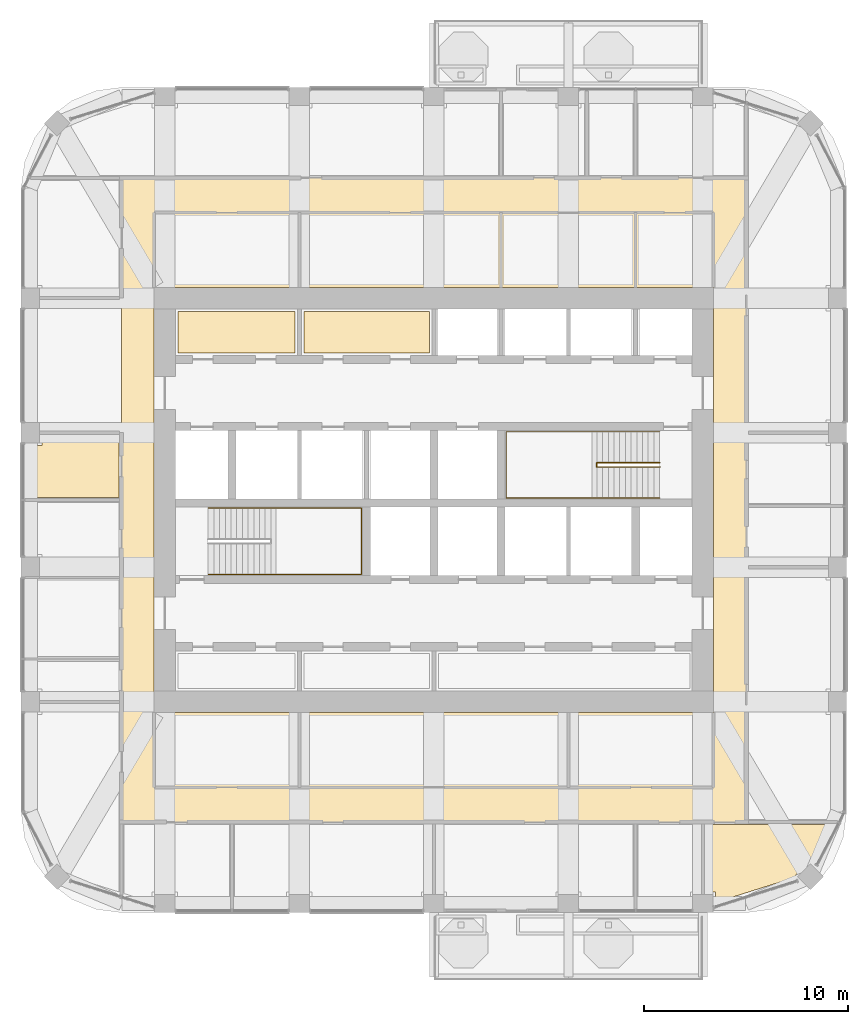
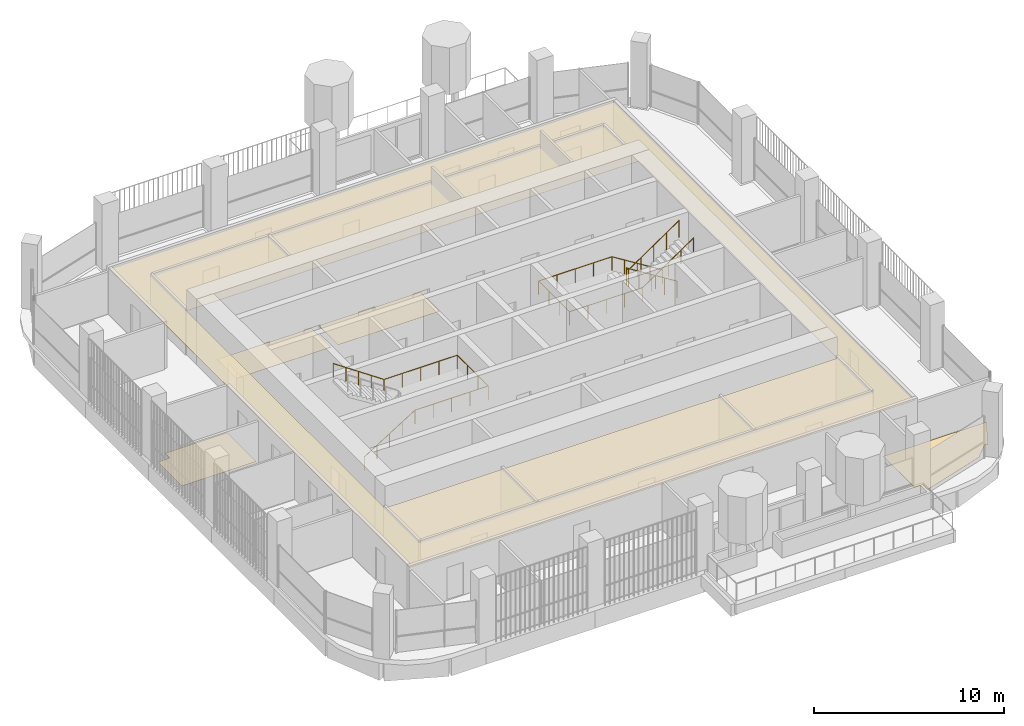
# One storey, part 19 of 21: 5 coverings, 3 railings.
"""IFC4 building model written with IfcOpenShell, lengths in metres."""

from ifc_helpers import new_model, si_unit, direction, frame, origin, place, context, subcontext, project, spatial, polyline, outline, extrude, material, layer, layer_set, type_object, element, save


model = new_model("IFC4")

# Units and contexts
model_context = context("Model", 3, precision=1e-05, world=origin(), true_north=direction((0.0, 1.0)))
body_context = subcontext(model_context, "Body", "Model", "MODEL_VIEW")
ifc_project = project(units=[si_unit("LENGTHUNIT", "METRE"), si_unit("AREAUNIT", "SQUARE_METRE"), si_unit("VOLUMEUNIT", "CUBIC_METRE"), si_unit("PLANEANGLEUNIT", "RADIAN"), si_unit("MASSUNIT", "GRAM", prefix="KILO")], contexts=[model_context])

# Site, building, storey
site_placement = place(None, origin())
site = spatial("IfcSite", under=ifc_project, at=site_placement, CompositionType="ELEMENT")
building_placement = place(site_placement, origin())
building = spatial("IfcBuilding", under=site, at=building_placement, Name="Cobogo Forest Laboratory Tower", CompositionType="ELEMENT")
storey_placement = place(building_placement, frame((0.0, 0.0, 283.800048828125)))
storey = spatial("IfcBuildingStorey", under=building, at=storey_placement, Name="L65", CompositionType="ELEMENT", Elevation=283.800048828125)

# Coverings
ifc_material_1 = material(Name="Mineral fibre ceiling tile", Category="ceiling")
ifc_layer_1 = layer(ifc_material_1, 0.02001953125)
ifc_layer_set_1 = layer_set([ifc_layer_1], Name="CL1 suspended ceiling")
covering_type_1 = type_object("IfcCoveringType", Name="CL1 suspended ceiling", PredefinedType="CEILING", material=ifc_layer_set_1)
covering_1_placement = place(storey_placement, frame((0.0, 0.0, 2.800048828125)))
element("IfcCovering", 1, at=covering_1_placement, inside=storey, type_object=covering_type_1, Name="Corridor ceiling L65", PredefinedType="CEILING", context=body_context, shape_type="SweptSolid", body=[
    extrude(outline(polyline([(11.074951171875, 7.300048828125), (11.074951171875, 38.89990234375), (41.72509765625, 38.89990234375), (41.72509765625, 7.300048828125), (11.074951171875, 7.300048828125)]), holes=[polyline([(40.125, 33.52490234375), (12.675048828125, 33.52490234375), (12.675048828125, 12.675048828125), (40.125, 12.675048828125), (40.125, 33.52490234375)])]), origin(), (0.0, 0.0, 1.0), 0.02001953125),
])
ifc_material_2 = material(Name="Carpet tile on raised access floor", Category="flooring")
ifc_layer_2 = layer(ifc_material_2, 0.008056640625)
ifc_layer_set_2 = layer_set([ifc_layer_2], Name="CT1 carpet tile floor 8")
covering_type_2 = type_object("IfcCoveringType", Name="CT1 carpet tile floor 8", PredefinedType="FLOORING", material=ifc_layer_set_2)
covering_2_placement = place(storey_placement, origin())
element("IfcCovering", 2, at=covering_2_placement, inside=storey, type_object=covering_type_2, Name="Carpet floor L65-12", PredefinedType="FLOORING", context=body_context, shape_type="SweptSolid", body=[
    extrude(outline(polyline([(44.10986328125, 4.583984375), (40.219970703125, 3.35546875), (40.219970703125, 3.8701171875), (39.719970703125, 3.8701171875), (39.719970703125, 7.179931640625), (45.999267578125, 7.179931640625), (45.010986328125, 5.294921875), (44.882080078125, 5.424072265625), (44.075927734375, 4.617919921875), (44.10986328125, 4.583984375)])), origin(), (0.0, 0.0, 1.0), 0.008056640625),
])
covering_3_placement = place(storey_placement, origin())
element("IfcCovering", 3, at=covering_3_placement, inside=storey, type_object=covering_type_2, Name="Carpet floor L65-25", PredefinedType="FLOORING", context=body_context, shape_type="SweptSolid", body=[
    extrude(outline(polyline([(10.955078125, 23.219970703125), (6.449951171875, 23.219970703125), (6.449951171875, 25.780029296875), (7.169921875, 25.780029296875), (7.169921875, 26.280029296875), (10.955078125, 26.280029296875), (10.955078125, 23.219970703125)])), origin(), (0.0, 0.0, 1.0), 0.008056640625),
])
covering_4_placement = place(storey_placement, origin())
element("IfcCovering", 4, at=covering_4_placement, inside=storey, type_object=covering_type_2, Name="Carpet floor L65-38", PredefinedType="FLOORING", context=body_context, shape_type="SweptSolid", body=[
    extrude(outline(polyline([(26.179931640625, 30.320068359375), (20.02001953125, 30.320068359375), (20.02001953125, 32.35498046875), (26.179931640625, 32.35498046875), (26.179931640625, 30.320068359375)])), origin(), (0.0, 0.0, 1.0), 0.008056640625),
])

# Railings
ifc_material_3 = material(Name="Steel balustrade", Category="steel")
railing_type_1 = type_object("IfcRailingType", Name="GR stair guard 1100", PredefinedType="GUARDRAIL", material=ifc_material_3)
railing_1_placement = place(storey_placement, frame((37.47509765625, 24.929931640625, 0.175048828125)))
element("IfcRailing", 5, at=railing_1_placement, inside=storey, type_object=railing_type_1, Name="Stair guard ST2 L65", PredefinedType="GUARDRAIL", context=body_context, shape_type="SweptSolid", body=[
    extrude(outline(polyline([(0.022216796875, 0.00927734375), (0.00927734375, 0.022216796875), (-0.00927734375, 0.022216796875), (-0.022216796875, 0.00927734375), (-0.022216796875, -0.00927734375), (-0.00927734375, -0.022216796875), (0.00927734375, -0.022216796875), (0.022216796875, -0.00927734375), (0.022216796875, 0.00927734375)])), frame((0.0, 0.0, 1.077880859375), z_axis=(-0.848028513186, 0.0, 0.529950602248), x_axis=(0.0, -1.0, 0.0)), (0.0, 0.0, 1.0), 3.632080078125),
    extrude(outline(polyline([(0.022216796875, 0.00927734375), (0.00927734375, 0.022216796875), (-0.00927734375, 0.022216796875), (-0.022216796875, 0.00927734375), (-0.022216796875, -0.00927734375), (-0.00927734375, -0.022216796875), (0.00927734375, -0.022216796875), (0.022216796875, -0.00927734375), (0.022216796875, 0.00927734375)])), frame((-3.080078125, 0.0, 3.002685546875), z_axis=(0.0, -1.0, 0.0), x_axis=(1.0, 0.0, 0.0)), (0.0, 0.0, 1.0), 0.2099609375),
    extrude(outline(polyline([(0.022216796875, 0.00927734375), (0.00927734375, 0.022216796875), (-0.00927734375, 0.022216796875), (-0.022216796875, 0.00927734375), (-0.022216796875, -0.00927734375), (-0.00927734375, -0.022216796875), (0.00927734375, -0.022216796875), (0.022216796875, -0.00927734375), (0.022216796875, 0.00927734375)])), frame((-3.080078125, -0.2099609375, 3.002685546875), z_axis=(0.826221800596, 0.0, 0.563344953133), x_axis=(0.0, 1.0, 0.0)), (0.0, 0.0, 1.0), 3.72802734375),
    extrude(outline(polyline([(0.019287109375, 0.008056640625), (0.008056640625, 0.019287109375), (-0.008056640625, 0.019287109375), (-0.019287109375, 0.008056640625), (-0.019287109375, -0.008056640625), (-0.008056640625, -0.019287109375), (0.008056640625, -0.019287109375), (0.019287109375, -0.008056640625), (0.019287109375, 0.008056640625)])), origin(), (0.0, 0.0, 1.0), 1.077880859375),
    extrude(outline(polyline([(0.019287109375, 0.008056640625), (0.008056640625, 0.019287109375), (-0.008056640625, 0.019287109375), (-0.019287109375, 0.008056640625), (-0.019287109375, -0.008056640625), (-0.008056640625, -0.019287109375), (0.008056640625, -0.019287109375), (0.019287109375, -0.008056640625), (0.019287109375, 0.008056640625)])), frame((-0.77001953125, 0.0, 0.481201171875)), (0.0, 0.0, 1.0), 1.077880859375),
    extrude(outline(polyline([(0.019287109375, 0.008056640625), (0.008056640625, 0.019287109375), (-0.008056640625, 0.019287109375), (-0.019287109375, 0.008056640625), (-0.019287109375, -0.008056640625), (-0.008056640625, -0.019287109375), (0.008056640625, -0.019287109375), (0.019287109375, -0.008056640625), (0.019287109375, 0.008056640625)])), frame((-1.5400390625, 0.0, 0.96240234375)), (0.0, 0.0, 1.0), 1.077880859375),
    extrude(outline(polyline([(0.019287109375, 0.008056640625), (0.008056640625, 0.019287109375), (-0.008056640625, 0.019287109375), (-0.019287109375, 0.008056640625), (-0.019287109375, -0.008056640625), (-0.008056640625, -0.019287109375), (0.008056640625, -0.019287109375), (0.019287109375, -0.008056640625), (0.019287109375, 0.008056640625)])), frame((-2.31005859375, 0.0, 1.443603515625)), (0.0, 0.0, 1.0), 1.077880859375),
    extrude(outline(polyline([(0.019287109375, 0.008056640625), (0.008056640625, 0.019287109375), (-0.008056640625, 0.019287109375), (-0.019287109375, 0.008056640625), (-0.019287109375, -0.008056640625), (-0.008056640625, -0.019287109375), (0.008056640625, -0.019287109375), (0.019287109375, -0.008056640625), (0.019287109375, 0.008056640625)])), frame((-3.080078125, 0.0, 1.9248046875)), (0.0, 0.0, 1.0), 1.077880859375),
    extrude(outline(polyline([(0.019287109375, 0.008056640625), (0.008056640625, 0.019287109375), (-0.008056640625, 0.019287109375), (-0.019287109375, 0.008056640625), (-0.019287109375, -0.008056640625), (-0.008056640625, -0.019287109375), (0.008056640625, -0.019287109375), (0.019287109375, -0.008056640625), (0.019287109375, 0.008056640625)])), frame((-3.080078125, -0.2099609375, 1.9248046875)), (0.0, 0.0, 1.0), 1.077880859375),
    extrude(outline(polyline([(0.019287109375, 0.008056640625), (0.008056640625, 0.019287109375), (-0.008056640625, 0.019287109375), (-0.019287109375, 0.008056640625), (-0.019287109375, -0.008056640625), (-0.008056640625, -0.019287109375), (0.008056640625, -0.019287109375), (0.019287109375, -0.008056640625), (0.019287109375, 0.008056640625)])), frame((-2.31005859375, -0.2099609375, 2.44970703125)), (0.0, 0.0, 1.0), 1.077880859375),
    extrude(outline(polyline([(0.019287109375, 0.008056640625), (0.008056640625, 0.019287109375), (-0.008056640625, 0.019287109375), (-0.019287109375, 0.008056640625), (-0.019287109375, -0.008056640625), (-0.008056640625, -0.019287109375), (0.008056640625, -0.019287109375), (0.019287109375, -0.008056640625), (0.019287109375, 0.008056640625)])), frame((-1.5400390625, -0.2099609375, 2.974853515625)), (0.0, 0.0, 1.0), 1.077880859375),
    extrude(outline(polyline([(0.019287109375, 0.008056640625), (0.008056640625, 0.019287109375), (-0.008056640625, 0.019287109375), (-0.019287109375, 0.008056640625), (-0.019287109375, -0.008056640625), (-0.008056640625, -0.019287109375), (0.008056640625, -0.019287109375), (0.019287109375, -0.008056640625), (0.019287109375, 0.008056640625)])), frame((-0.77001953125, -0.2099609375, 3.5)), (0.0, 0.0, 1.0), 1.077880859375),
    extrude(outline(polyline([(0.019287109375, 0.008056640625), (0.008056640625, 0.019287109375), (-0.008056640625, 0.019287109375), (-0.019287109375, 0.008056640625), (-0.019287109375, -0.008056640625), (-0.008056640625, -0.019287109375), (0.008056640625, -0.019287109375), (0.019287109375, -0.008056640625), (0.019287109375, 0.008056640625)])), frame((0.0, -0.2099609375, 4.02490234375)), (0.0, 0.0, 1.0), 1.077880859375),
])
ifc_material_4 = material(Name="Stainless steel handrail", Category="steel")
railing_type_2 = type_object("IfcRailingType", Name="HR handrail 900", PredefinedType="HANDRAIL", material=ifc_material_4)
railing_2_placement = place(storey_placement, frame((15.324951171875, 19.449951171875, 0.175048828125)))
element("IfcRailing", 6, at=railing_2_placement, inside=storey, type_object=railing_type_2, Name="Stair handrail ST1 L65", PredefinedType="HANDRAIL", context=body_context, shape_type="SweptSolid", body=[
    extrude(outline(polyline([(0.022216796875, 0.00927734375), (0.00927734375, 0.022216796875), (-0.00927734375, 0.022216796875), (-0.022216796875, 0.00927734375), (-0.022216796875, -0.00927734375), (-0.00927734375, -0.022216796875), (0.00927734375, -0.022216796875), (0.022216796875, -0.00927734375), (0.022216796875, 0.00927734375)])), frame((0.0, 0.0, 0.877685546875), z_axis=(0.848028513186, 0.0, 0.529950602248), x_axis=(0.0, 1.0, 0.0)), (0.0, 0.0, 1.0), 3.632080078125),
    extrude(outline(polyline([(0.022216796875, 0.00927734375), (0.00927734375, 0.022216796875), (-0.00927734375, 0.022216796875), (-0.022216796875, 0.00927734375), (-0.022216796875, -0.00927734375), (-0.00927734375, -0.022216796875), (0.00927734375, -0.022216796875), (0.022216796875, -0.00927734375), (0.022216796875, 0.00927734375)])), frame((3.080078125, 0.0, 2.802490234375), z_axis=(1.0, 0.0, 0.0), x_axis=(0.0, 1.0, 0.0)), (0.0, 0.0, 1.0), 4.445068359375),
    extrude(outline(polyline([(0.022216796875, 0.00927734375), (0.00927734375, 0.022216796875), (-0.00927734375, 0.022216796875), (-0.022216796875, 0.00927734375), (-0.022216796875, -0.00927734375), (-0.00927734375, -0.022216796875), (0.00927734375, -0.022216796875), (0.022216796875, -0.00927734375), (0.022216796875, 0.00927734375)])), frame((7.525146484375, 0.0, 2.802490234375), z_axis=(0.0, 1.0, 0.0), x_axis=(-1.0, 0.0, 0.0)), (0.0, 0.0, 1.0), 3.25),
    extrude(outline(polyline([(0.022216796875, 0.00927734375), (0.00927734375, 0.022216796875), (-0.00927734375, 0.022216796875), (-0.022216796875, 0.00927734375), (-0.022216796875, -0.00927734375), (-0.00927734375, -0.022216796875), (0.00927734375, -0.022216796875), (0.022216796875, -0.00927734375), (0.022216796875, 0.00927734375)])), frame((7.525146484375, 3.25, 2.802490234375), z_axis=(-1.0, 0.0, 0.0), x_axis=(0.0, -1.0, 0.0)), (0.0, 0.0, 1.0), 4.445068359375),
    extrude(outline(polyline([(0.022216796875, 0.00927734375), (0.00927734375, 0.022216796875), (-0.00927734375, 0.022216796875), (-0.022216796875, 0.00927734375), (-0.022216796875, -0.00927734375), (-0.00927734375, -0.022216796875), (0.00927734375, -0.022216796875), (0.022216796875, -0.00927734375), (0.022216796875, 0.00927734375)])), frame((3.080078125, 3.25, 2.802490234375), z_axis=(-0.826221800596, 0.0, 0.563344953133), x_axis=(0.0, -1.0, 0.0)), (0.0, 0.0, 1.0), 3.72802734375),
    extrude(outline(polyline([(0.019287109375, 0.008056640625), (0.008056640625, 0.019287109375), (-0.008056640625, 0.019287109375), (-0.019287109375, 0.008056640625), (-0.019287109375, -0.008056640625), (-0.008056640625, -0.019287109375), (0.008056640625, -0.019287109375), (0.019287109375, -0.008056640625), (0.019287109375, 0.008056640625)])), origin(), (0.0, 0.0, 1.0), 0.877685546875),
    extrude(outline(polyline([(0.019287109375, 0.008056640625), (0.008056640625, 0.019287109375), (-0.008056640625, 0.019287109375), (-0.019287109375, 0.008056640625), (-0.019287109375, -0.008056640625), (-0.008056640625, -0.019287109375), (0.008056640625, -0.019287109375), (0.019287109375, -0.008056640625), (0.019287109375, 0.008056640625)])), frame((0.77001953125, 0.0, 0.481201171875)), (0.0, 0.0, 1.0), 0.877685546875),
    extrude(outline(polyline([(0.019287109375, 0.008056640625), (0.008056640625, 0.019287109375), (-0.008056640625, 0.019287109375), (-0.019287109375, 0.008056640625), (-0.019287109375, -0.008056640625), (-0.008056640625, -0.019287109375), (0.008056640625, -0.019287109375), (0.019287109375, -0.008056640625), (0.019287109375, 0.008056640625)])), frame((1.5400390625, 0.0, 0.96240234375)), (0.0, 0.0, 1.0), 0.877685546875),
    extrude(outline(polyline([(0.019287109375, 0.008056640625), (0.008056640625, 0.019287109375), (-0.008056640625, 0.019287109375), (-0.019287109375, 0.008056640625), (-0.019287109375, -0.008056640625), (-0.008056640625, -0.019287109375), (0.008056640625, -0.019287109375), (0.019287109375, -0.008056640625), (0.019287109375, 0.008056640625)])), frame((2.31005859375, 0.0, 1.443603515625)), (0.0, 0.0, 1.0), 0.877685546875),
    extrude(outline(polyline([(0.019287109375, 0.008056640625), (0.008056640625, 0.019287109375), (-0.008056640625, 0.019287109375), (-0.019287109375, 0.008056640625), (-0.019287109375, -0.008056640625), (-0.008056640625, -0.019287109375), (0.008056640625, -0.019287109375), (0.019287109375, -0.008056640625), (0.019287109375, 0.008056640625)])), frame((3.080078125, 0.0, 1.9248046875)), (0.0, 0.0, 1.0), 0.877685546875),
    extrude(outline(polyline([(0.019287109375, 0.008056640625), (0.008056640625, 0.019287109375), (-0.008056640625, 0.019287109375), (-0.019287109375, 0.008056640625), (-0.019287109375, -0.008056640625), (-0.008056640625, -0.019287109375), (0.008056640625, -0.019287109375), (0.019287109375, -0.008056640625), (0.019287109375, 0.008056640625)])), frame((4.19140625, 0.0, 1.9248046875)), (0.0, 0.0, 1.0), 0.877685546875),
    extrude(outline(polyline([(0.019287109375, 0.008056640625), (0.008056640625, 0.019287109375), (-0.008056640625, 0.019287109375), (-0.019287109375, 0.008056640625), (-0.019287109375, -0.008056640625), (-0.008056640625, -0.019287109375), (0.008056640625, -0.019287109375), (0.019287109375, -0.008056640625), (0.019287109375, 0.008056640625)])), frame((5.302734375, 0.0, 1.9248046875)), (0.0, 0.0, 1.0), 0.877685546875),
    extrude(outline(polyline([(0.019287109375, 0.008056640625), (0.008056640625, 0.019287109375), (-0.008056640625, 0.019287109375), (-0.019287109375, 0.008056640625), (-0.019287109375, -0.008056640625), (-0.008056640625, -0.019287109375), (0.008056640625, -0.019287109375), (0.019287109375, -0.008056640625), (0.019287109375, 0.008056640625)])), frame((6.413818359375, 0.0, 1.9248046875)), (0.0, 0.0, 1.0), 0.877685546875),
    extrude(outline(polyline([(0.019287109375, 0.008056640625), (0.008056640625, 0.019287109375), (-0.008056640625, 0.019287109375), (-0.019287109375, 0.008056640625), (-0.019287109375, -0.008056640625), (-0.008056640625, -0.019287109375), (0.008056640625, -0.019287109375), (0.019287109375, -0.008056640625), (0.019287109375, 0.008056640625)])), frame((7.525146484375, 0.0, 1.9248046875)), (0.0, 0.0, 1.0), 0.877685546875),
    extrude(outline(polyline([(0.019287109375, 0.008056640625), (0.008056640625, 0.019287109375), (-0.008056640625, 0.019287109375), (-0.019287109375, 0.008056640625), (-0.019287109375, -0.008056640625), (-0.008056640625, -0.019287109375), (0.008056640625, -0.019287109375), (0.019287109375, -0.008056640625), (0.019287109375, 0.008056640625)])), frame((7.525146484375, 1.083251953125, 1.9248046875)), (0.0, 0.0, 1.0), 0.877685546875),
    extrude(outline(polyline([(0.019287109375, 0.008056640625), (0.008056640625, 0.019287109375), (-0.008056640625, 0.019287109375), (-0.019287109375, 0.008056640625), (-0.019287109375, -0.008056640625), (-0.008056640625, -0.019287109375), (0.008056640625, -0.019287109375), (0.019287109375, -0.008056640625), (0.019287109375, 0.008056640625)])), frame((7.525146484375, 2.166748046875, 1.9248046875)), (0.0, 0.0, 1.0), 0.877685546875),
    extrude(outline(polyline([(0.019287109375, 0.008056640625), (0.008056640625, 0.019287109375), (-0.008056640625, 0.019287109375), (-0.019287109375, 0.008056640625), (-0.019287109375, -0.008056640625), (-0.008056640625, -0.019287109375), (0.008056640625, -0.019287109375), (0.019287109375, -0.008056640625), (0.019287109375, 0.008056640625)])), frame((7.525146484375, 3.25, 1.9248046875)), (0.0, 0.0, 1.0), 0.877685546875),
    extrude(outline(polyline([(0.019287109375, 0.008056640625), (0.008056640625, 0.019287109375), (-0.008056640625, 0.019287109375), (-0.019287109375, 0.008056640625), (-0.019287109375, -0.008056640625), (-0.008056640625, -0.019287109375), (0.008056640625, -0.019287109375), (0.019287109375, -0.008056640625), (0.019287109375, 0.008056640625)])), frame((6.413818359375, 3.25, 1.9248046875)), (0.0, 0.0, 1.0), 0.877685546875),
    extrude(outline(polyline([(0.019287109375, 0.008056640625), (0.008056640625, 0.019287109375), (-0.008056640625, 0.019287109375), (-0.019287109375, 0.008056640625), (-0.019287109375, -0.008056640625), (-0.008056640625, -0.019287109375), (0.008056640625, -0.019287109375), (0.019287109375, -0.008056640625), (0.019287109375, 0.008056640625)])), frame((5.302734375, 3.25, 1.9248046875)), (0.0, 0.0, 1.0), 0.877685546875),
    extrude(outline(polyline([(0.019287109375, 0.008056640625), (0.008056640625, 0.019287109375), (-0.008056640625, 0.019287109375), (-0.019287109375, 0.008056640625), (-0.019287109375, -0.008056640625), (-0.008056640625, -0.019287109375), (0.008056640625, -0.019287109375), (0.019287109375, -0.008056640625), (0.019287109375, 0.008056640625)])), frame((4.19140625, 3.25, 1.9248046875)), (0.0, 0.0, 1.0), 0.877685546875),
    extrude(outline(polyline([(0.019287109375, 0.008056640625), (0.008056640625, 0.019287109375), (-0.008056640625, 0.019287109375), (-0.019287109375, 0.008056640625), (-0.019287109375, -0.008056640625), (-0.008056640625, -0.019287109375), (0.008056640625, -0.019287109375), (0.019287109375, -0.008056640625), (0.019287109375, 0.008056640625)])), frame((3.080078125, 3.25, 1.9248046875)), (0.0, 0.0, 1.0), 0.877685546875),
    extrude(outline(polyline([(0.019287109375, 0.008056640625), (0.008056640625, 0.019287109375), (-0.008056640625, 0.019287109375), (-0.019287109375, 0.008056640625), (-0.019287109375, -0.008056640625), (-0.008056640625, -0.019287109375), (0.008056640625, -0.019287109375), (0.019287109375, -0.008056640625), (0.019287109375, 0.008056640625)])), frame((2.31005859375, 3.25, 2.44970703125)), (0.0, 0.0, 1.0), 0.877685546875),
    extrude(outline(polyline([(0.019287109375, 0.008056640625), (0.008056640625, 0.019287109375), (-0.008056640625, 0.019287109375), (-0.019287109375, 0.008056640625), (-0.019287109375, -0.008056640625), (-0.008056640625, -0.019287109375), (0.008056640625, -0.019287109375), (0.019287109375, -0.008056640625), (0.019287109375, 0.008056640625)])), frame((1.5400390625, 3.25, 2.974853515625)), (0.0, 0.0, 1.0), 0.877685546875),
    extrude(outline(polyline([(0.019287109375, 0.008056640625), (0.008056640625, 0.019287109375), (-0.008056640625, 0.019287109375), (-0.019287109375, 0.008056640625), (-0.019287109375, -0.008056640625), (-0.008056640625, -0.019287109375), (0.008056640625, -0.019287109375), (0.019287109375, -0.008056640625), (0.019287109375, 0.008056640625)])), frame((0.77001953125, 3.25, 3.5)), (0.0, 0.0, 1.0), 0.877685546875),
    extrude(outline(polyline([(0.019287109375, 0.008056640625), (0.008056640625, 0.019287109375), (-0.008056640625, 0.019287109375), (-0.019287109375, 0.008056640625), (-0.019287109375, -0.008056640625), (-0.008056640625, -0.019287109375), (0.008056640625, -0.019287109375), (0.019287109375, -0.008056640625), (0.019287109375, 0.008056640625)])), frame((0.0, 3.25, 4.02490234375)), (0.0, 0.0, 1.0), 0.877685546875),
])
railing_3_placement = place(storey_placement, frame((37.47509765625, 26.449951171875, 0.175048828125)))
element("IfcRailing", 7, at=railing_3_placement, inside=storey, type_object=railing_type_2, Name="Stair handrail ST2 L65", PredefinedType="HANDRAIL", context=body_context, shape_type="SweptSolid", body=[
    extrude(outline(polyline([(0.022216796875, 0.00927734375), (0.00927734375, 0.022216796875), (-0.00927734375, 0.022216796875), (-0.022216796875, 0.00927734375), (-0.022216796875, -0.00927734375), (-0.00927734375, -0.022216796875), (0.00927734375, -0.022216796875), (0.022216796875, -0.00927734375), (0.022216796875, 0.00927734375)])), frame((0.0, 0.0, 0.877685546875), z_axis=(-0.848028513186, 0.0, 0.529950602248), x_axis=(0.0, -1.0, 0.0)), (0.0, 0.0, 1.0), 3.632080078125),
    extrude(outline(polyline([(0.022216796875, 0.00927734375), (0.00927734375, 0.022216796875), (-0.00927734375, 0.022216796875), (-0.022216796875, 0.00927734375), (-0.022216796875, -0.00927734375), (-0.00927734375, -0.022216796875), (0.00927734375, -0.022216796875), (0.022216796875, -0.00927734375), (0.022216796875, 0.00927734375)])), frame((-3.080078125, 0.0, 2.802490234375), z_axis=(-1.0, 0.0, 0.0), x_axis=(0.0, -1.0, 0.0)), (0.0, 0.0, 1.0), 4.445068359375),
    extrude(outline(polyline([(0.022216796875, 0.00927734375), (0.00927734375, 0.022216796875), (-0.00927734375, 0.022216796875), (-0.022216796875, 0.00927734375), (-0.022216796875, -0.00927734375), (-0.00927734375, -0.022216796875), (0.00927734375, -0.022216796875), (0.022216796875, -0.00927734375), (0.022216796875, 0.00927734375)])), frame((-7.525146484375, 0.0, 2.802490234375), z_axis=(0.0, -1.0, 0.0), x_axis=(1.0, 0.0, 0.0)), (0.0, 0.0, 1.0), 3.25),
    extrude(outline(polyline([(0.022216796875, 0.00927734375), (0.00927734375, 0.022216796875), (-0.00927734375, 0.022216796875), (-0.022216796875, 0.00927734375), (-0.022216796875, -0.00927734375), (-0.00927734375, -0.022216796875), (0.00927734375, -0.022216796875), (0.022216796875, -0.00927734375), (0.022216796875, 0.00927734375)])), frame((-7.525146484375, -3.25, 2.802490234375), z_axis=(1.0, 0.0, 0.0), x_axis=(0.0, 1.0, 0.0)), (0.0, 0.0, 1.0), 4.445068359375),
    extrude(outline(polyline([(0.022216796875, 0.00927734375), (0.00927734375, 0.022216796875), (-0.00927734375, 0.022216796875), (-0.022216796875, 0.00927734375), (-0.022216796875, -0.00927734375), (-0.00927734375, -0.022216796875), (0.00927734375, -0.022216796875), (0.022216796875, -0.00927734375), (0.022216796875, 0.00927734375)])), frame((-3.080078125, -3.25, 2.802490234375), z_axis=(0.826221800596, 0.0, 0.563344953133), x_axis=(0.0, 1.0, 0.0)), (0.0, 0.0, 1.0), 3.72802734375),
    extrude(outline(polyline([(0.019287109375, 0.008056640625), (0.008056640625, 0.019287109375), (-0.008056640625, 0.019287109375), (-0.019287109375, 0.008056640625), (-0.019287109375, -0.008056640625), (-0.008056640625, -0.019287109375), (0.008056640625, -0.019287109375), (0.019287109375, -0.008056640625), (0.019287109375, 0.008056640625)])), origin(), (0.0, 0.0, 1.0), 0.877685546875),
    extrude(outline(polyline([(0.019287109375, 0.008056640625), (0.008056640625, 0.019287109375), (-0.008056640625, 0.019287109375), (-0.019287109375, 0.008056640625), (-0.019287109375, -0.008056640625), (-0.008056640625, -0.019287109375), (0.008056640625, -0.019287109375), (0.019287109375, -0.008056640625), (0.019287109375, 0.008056640625)])), frame((-0.77001953125, 0.0, 0.481201171875)), (0.0, 0.0, 1.0), 0.877685546875),
    extrude(outline(polyline([(0.019287109375, 0.008056640625), (0.008056640625, 0.019287109375), (-0.008056640625, 0.019287109375), (-0.019287109375, 0.008056640625), (-0.019287109375, -0.008056640625), (-0.008056640625, -0.019287109375), (0.008056640625, -0.019287109375), (0.019287109375, -0.008056640625), (0.019287109375, 0.008056640625)])), frame((-1.5400390625, 0.0, 0.96240234375)), (0.0, 0.0, 1.0), 0.877685546875),
    extrude(outline(polyline([(0.019287109375, 0.008056640625), (0.008056640625, 0.019287109375), (-0.008056640625, 0.019287109375), (-0.019287109375, 0.008056640625), (-0.019287109375, -0.008056640625), (-0.008056640625, -0.019287109375), (0.008056640625, -0.019287109375), (0.019287109375, -0.008056640625), (0.019287109375, 0.008056640625)])), frame((-2.31005859375, 0.0, 1.443603515625)), (0.0, 0.0, 1.0), 0.877685546875),
    extrude(outline(polyline([(0.019287109375, 0.008056640625), (0.008056640625, 0.019287109375), (-0.008056640625, 0.019287109375), (-0.019287109375, 0.008056640625), (-0.019287109375, -0.008056640625), (-0.008056640625, -0.019287109375), (0.008056640625, -0.019287109375), (0.019287109375, -0.008056640625), (0.019287109375, 0.008056640625)])), frame((-3.080078125, 0.0, 1.9248046875)), (0.0, 0.0, 1.0), 0.877685546875),
    extrude(outline(polyline([(0.019287109375, 0.008056640625), (0.008056640625, 0.019287109375), (-0.008056640625, 0.019287109375), (-0.019287109375, 0.008056640625), (-0.019287109375, -0.008056640625), (-0.008056640625, -0.019287109375), (0.008056640625, -0.019287109375), (0.019287109375, -0.008056640625), (0.019287109375, 0.008056640625)])), frame((-4.19140625, 0.0, 1.9248046875)), (0.0, 0.0, 1.0), 0.877685546875),
    extrude(outline(polyline([(0.019287109375, 0.008056640625), (0.008056640625, 0.019287109375), (-0.008056640625, 0.019287109375), (-0.019287109375, 0.008056640625), (-0.019287109375, -0.008056640625), (-0.008056640625, -0.019287109375), (0.008056640625, -0.019287109375), (0.019287109375, -0.008056640625), (0.019287109375, 0.008056640625)])), frame((-5.302734375, 0.0, 1.9248046875)), (0.0, 0.0, 1.0), 0.877685546875),
    extrude(outline(polyline([(0.019287109375, 0.008056640625), (0.008056640625, 0.019287109375), (-0.008056640625, 0.019287109375), (-0.019287109375, 0.008056640625), (-0.019287109375, -0.008056640625), (-0.008056640625, -0.019287109375), (0.008056640625, -0.019287109375), (0.019287109375, -0.008056640625), (0.019287109375, 0.008056640625)])), frame((-6.413818359375, 0.0, 1.9248046875)), (0.0, 0.0, 1.0), 0.877685546875),
    extrude(outline(polyline([(0.019287109375, 0.008056640625), (0.008056640625, 0.019287109375), (-0.008056640625, 0.019287109375), (-0.019287109375, 0.008056640625), (-0.019287109375, -0.008056640625), (-0.008056640625, -0.019287109375), (0.008056640625, -0.019287109375), (0.019287109375, -0.008056640625), (0.019287109375, 0.008056640625)])), frame((-7.525146484375, 0.0, 1.9248046875)), (0.0, 0.0, 1.0), 0.877685546875),
    extrude(outline(polyline([(0.019287109375, 0.008056640625), (0.008056640625, 0.019287109375), (-0.008056640625, 0.019287109375), (-0.019287109375, 0.008056640625), (-0.019287109375, -0.008056640625), (-0.008056640625, -0.019287109375), (0.008056640625, -0.019287109375), (0.019287109375, -0.008056640625), (0.019287109375, 0.008056640625)])), frame((-7.525146484375, -1.083251953125, 1.9248046875)), (0.0, 0.0, 1.0), 0.877685546875),
    extrude(outline(polyline([(0.019287109375, 0.008056640625), (0.008056640625, 0.019287109375), (-0.008056640625, 0.019287109375), (-0.019287109375, 0.008056640625), (-0.019287109375, -0.008056640625), (-0.008056640625, -0.019287109375), (0.008056640625, -0.019287109375), (0.019287109375, -0.008056640625), (0.019287109375, 0.008056640625)])), frame((-7.525146484375, -2.166748046875, 1.9248046875)), (0.0, 0.0, 1.0), 0.877685546875),
    extrude(outline(polyline([(0.019287109375, 0.008056640625), (0.008056640625, 0.019287109375), (-0.008056640625, 0.019287109375), (-0.019287109375, 0.008056640625), (-0.019287109375, -0.008056640625), (-0.008056640625, -0.019287109375), (0.008056640625, -0.019287109375), (0.019287109375, -0.008056640625), (0.019287109375, 0.008056640625)])), frame((-7.525146484375, -3.25, 1.9248046875)), (0.0, 0.0, 1.0), 0.877685546875),
    extrude(outline(polyline([(0.019287109375, 0.008056640625), (0.008056640625, 0.019287109375), (-0.008056640625, 0.019287109375), (-0.019287109375, 0.008056640625), (-0.019287109375, -0.008056640625), (-0.008056640625, -0.019287109375), (0.008056640625, -0.019287109375), (0.019287109375, -0.008056640625), (0.019287109375, 0.008056640625)])), frame((-6.413818359375, -3.25, 1.9248046875)), (0.0, 0.0, 1.0), 0.877685546875),
    extrude(outline(polyline([(0.019287109375, 0.008056640625), (0.008056640625, 0.019287109375), (-0.008056640625, 0.019287109375), (-0.019287109375, 0.008056640625), (-0.019287109375, -0.008056640625), (-0.008056640625, -0.019287109375), (0.008056640625, -0.019287109375), (0.019287109375, -0.008056640625), (0.019287109375, 0.008056640625)])), frame((-5.302734375, -3.25, 1.9248046875)), (0.0, 0.0, 1.0), 0.877685546875),
    extrude(outline(polyline([(0.019287109375, 0.008056640625), (0.008056640625, 0.019287109375), (-0.008056640625, 0.019287109375), (-0.019287109375, 0.008056640625), (-0.019287109375, -0.008056640625), (-0.008056640625, -0.019287109375), (0.008056640625, -0.019287109375), (0.019287109375, -0.008056640625), (0.019287109375, 0.008056640625)])), frame((-4.19140625, -3.25, 1.9248046875)), (0.0, 0.0, 1.0), 0.877685546875),
    extrude(outline(polyline([(0.019287109375, 0.008056640625), (0.008056640625, 0.019287109375), (-0.008056640625, 0.019287109375), (-0.019287109375, 0.008056640625), (-0.019287109375, -0.008056640625), (-0.008056640625, -0.019287109375), (0.008056640625, -0.019287109375), (0.019287109375, -0.008056640625), (0.019287109375, 0.008056640625)])), frame((-3.080078125, -3.25, 1.9248046875)), (0.0, 0.0, 1.0), 0.877685546875),
    extrude(outline(polyline([(0.019287109375, 0.008056640625), (0.008056640625, 0.019287109375), (-0.008056640625, 0.019287109375), (-0.019287109375, 0.008056640625), (-0.019287109375, -0.008056640625), (-0.008056640625, -0.019287109375), (0.008056640625, -0.019287109375), (0.019287109375, -0.008056640625), (0.019287109375, 0.008056640625)])), frame((-2.31005859375, -3.25, 2.44970703125)), (0.0, 0.0, 1.0), 0.877685546875),
    extrude(outline(polyline([(0.019287109375, 0.008056640625), (0.008056640625, 0.019287109375), (-0.008056640625, 0.019287109375), (-0.019287109375, 0.008056640625), (-0.019287109375, -0.008056640625), (-0.008056640625, -0.019287109375), (0.008056640625, -0.019287109375), (0.019287109375, -0.008056640625), (0.019287109375, 0.008056640625)])), frame((-1.5400390625, -3.25, 2.974853515625)), (0.0, 0.0, 1.0), 0.877685546875),
    extrude(outline(polyline([(0.019287109375, 0.008056640625), (0.008056640625, 0.019287109375), (-0.008056640625, 0.019287109375), (-0.019287109375, 0.008056640625), (-0.019287109375, -0.008056640625), (-0.008056640625, -0.019287109375), (0.008056640625, -0.019287109375), (0.019287109375, -0.008056640625), (0.019287109375, 0.008056640625)])), frame((-0.77001953125, -3.25, 3.5)), (0.0, 0.0, 1.0), 0.877685546875),
    extrude(outline(polyline([(0.019287109375, 0.008056640625), (0.008056640625, 0.019287109375), (-0.008056640625, 0.019287109375), (-0.019287109375, 0.008056640625), (-0.019287109375, -0.008056640625), (-0.008056640625, -0.019287109375), (0.008056640625, -0.019287109375), (0.019287109375, -0.008056640625), (0.019287109375, 0.008056640625)])), frame((0.0, -3.25, 4.02490234375)), (0.0, 0.0, 1.0), 0.877685546875),
])

# Covering
ifc_material_5 = material(Name="Ceramic floor tile", Category="flooring")
ifc_layer_3 = layer(ifc_material_5, 0.010009765625)
ifc_layer_set_3 = layer_set([ifc_layer_3], Name="TF1 ceramic tile floor 10")
covering_type_3 = type_object("IfcCoveringType", Name="TF1 ceramic tile floor 10", PredefinedType="FLOORING", material=ifc_layer_set_3)
covering_5_placement = place(storey_placement, origin())
element("IfcCovering", 8, at=covering_5_placement, inside=storey, type_object=covering_type_3, Name="Tile floor L65-37", PredefinedType="FLOORING", context=body_context, shape_type="SweptSolid", body=[
    extrude(outline(polyline([(19.580078125, 30.320068359375), (13.844970703125, 30.320068359375), (13.844970703125, 32.35498046875), (19.580078125, 32.35498046875), (19.580078125, 30.320068359375)])), origin(), (0.0, 0.0, 1.0), 0.010009765625),
])

save(model, "model.ifc")
